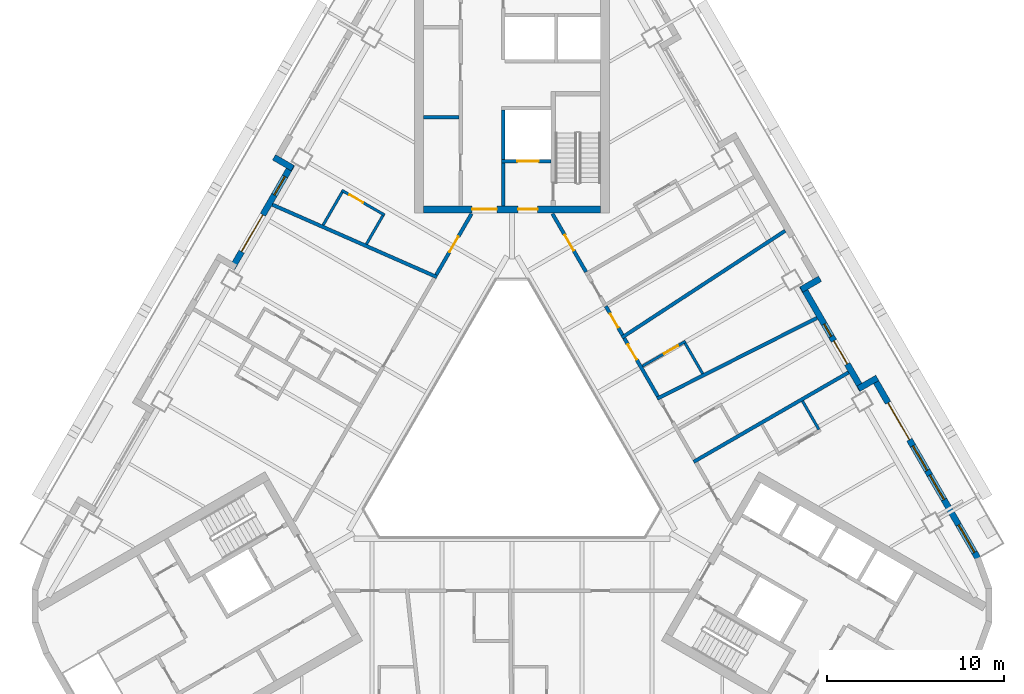
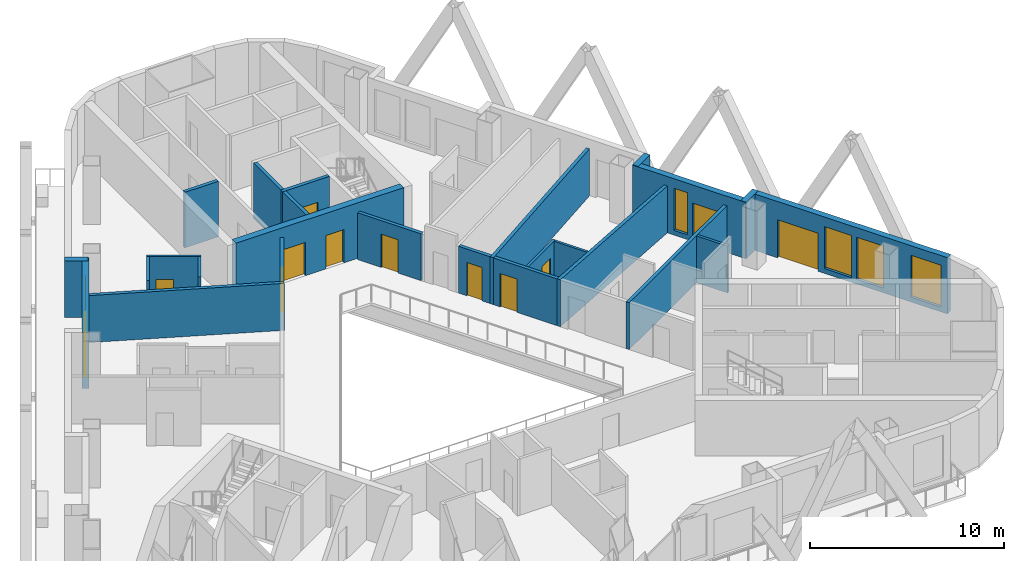
# One storey, part 6 of 14: 25 walls, 12 doors, 5 windows, 17 openings.
"""IFC4 building model written with IfcOpenShell, lengths in metres."""

from ifc_helpers import new_model, si_unit, direction, frame, frame_2d, origin, place, context, subcontext, project, spatial, rectangle, extrude, material, layer, layer_set, type_object, element, fill, save


model = new_model("IFC4")

# Units and contexts
model_context = context("Model", 3, precision=1e-05, world=origin(), true_north=direction((0.0, 1.0)))
body_context = subcontext(model_context, "Body", "Model", "MODEL_VIEW")
ifc_project = project(units=[si_unit("LENGTHUNIT", "METRE"), si_unit("AREAUNIT", "SQUARE_METRE"), si_unit("VOLUMEUNIT", "CUBIC_METRE"), si_unit("PLANEANGLEUNIT", "RADIAN"), si_unit("MASSUNIT", "GRAM", prefix="KILO")], contexts=[model_context])

# Site, building, storey
site_placement = place(None, origin())
site = spatial("IfcSite", under=ifc_project, at=site_placement, CompositionType="ELEMENT")
building_placement = place(site_placement, origin())
building = spatial("IfcBuilding", under=site, at=building_placement, Name="Apuvela Tower Hotel", CompositionType="ELEMENT")
storey_placement = place(building_placement, frame((0.0, 0.0, 120.5)))
storey = spatial("IfcBuildingStorey", under=building, at=storey_placement, Name="L28", CompositionType="ELEMENT", Elevation=120.5)

# Wall, openings, doors
ifc_material_1 = material(Name="Concrete C50/60", Category="concrete")
ifc_layer_1 = layer(ifc_material_1, 0.39990234375)
ifc_layer_set_1 = layer_set([ifc_layer_1], Name="COR-WALL-CORE-400")
wall_type_1 = type_object("IfcWallType", Name="COR-WALL-CORE-400", PredefinedType="SHEAR", material=ifc_layer_set_1)
wall_1_placement = place(storey_placement, frame((5.0, 13.10009765625, 0.0), z_axis=(0.0, 0.0, 1.0), x_axis=(-1.0, 0.0, 0.0)))
wall_1 = element("IfcWall", 1, at=wall_1_placement, inside=storey, type_object=wall_type_1, Name="Core wall N", PredefinedType="SHEAR", context=body_context, shape_type="SweptSolid", body=[
    extrude(rectangle(XDim=10.0, YDim=0.39990234375, at=frame_2d((5.0, 0.0))), origin(), (0.0, 0.0, 1.0), 3.5),
])
opening_1_placement = place(wall_1_placement, frame((3.550048828125, 0.0, 0.0)))
opening_1 = element("IfcOpeningElement", 2, at=opening_1_placement, cuts=wall_1, Name="Opening N-FD", PredefinedType="OPENING", context=body_context, shape_type="SweptSolid", body=[
    extrude(rectangle(XDim=1.10009765625, YDim=2.10009765625, at=frame_2d((0.550048828125, 1.050048828125))), frame((0.0, 0.2099609375, 0.0), z_axis=(0.0, -1.0, 0.0), x_axis=(1.0, 0.0, 0.0)), (0.0, 0.0, 1.0), 0.419921875),
])
opening_2_placement = place(wall_1_placement, frame((5.85009765625, 0.0, 0.0)))
opening_2 = element("IfcOpeningElement", 3, at=opening_2_placement, cuts=wall_1, Name="Opening N-GD", PredefinedType="OPENING", context=body_context, shape_type="SweptSolid", body=[
    extrude(rectangle(XDim=1.39990234375, YDim=2.10009765625, at=frame_2d((0.699951171875, 1.050048828125))), frame((0.0, 0.2099609375, 0.0), z_axis=(0.0, -1.0, 0.0), x_axis=(1.0, 0.0, 0.0)), (0.0, 0.0, 1.0), 0.419921875),
])
ifc_material_2 = material(Name="Steel fire door, powder coated", Category="steel")
door_type_1 = type_object("IfcDoorType", Name="COR-FD-1100", OperationType="NOTDEFINED", PredefinedType="DOOR", material=ifc_material_2)
door_1_placement = place(opening_1_placement, frame((1.10009765625, 0.0, 0.0), z_axis=(0.0, 0.0, 1.0), x_axis=(-1.0, 0.0, 0.0)))
door_1 = element("IfcDoor", 4, at=door_1_placement, inside=storey, type_object=door_type_1, Name="Firefighting lobby door N-FD", OperationType="SINGLE_SWING_LEFT", OverallHeight=2.10009765625, OverallWidth=1.10009765625, PredefinedType="DOOR", context=body_context, shape_type="SweptSolid", body=[
    extrude(rectangle(XDim=1.10009765625, YDim=2.10009765625, at=frame_2d((0.550048828125, 1.050048828125))), frame((0.0, 0.02490234375, 0.0), z_axis=(0.0, -1.0, 0.0), x_axis=(1.0, 0.0, 0.0)), (0.0, 0.0, 1.0), 0.050048828125),
])
fill(opening_1, door_1)
ifc_material_3 = material(Name="Glazed steel fire door", Category="steel")
door_type_2 = type_object("IfcDoorType", Name="COR-GD-1400", OperationType="DOUBLE_DOOR_SINGLE_SWING", PredefinedType="DOOR", material=ifc_material_3)
door_2_placement = place(opening_2_placement, frame((1.39990234375, 0.0, 0.0), z_axis=(0.0, 0.0, 1.0), x_axis=(-1.0, 0.0, 0.0)))
door_2 = element("IfcDoor", 5, at=door_2_placement, inside=storey, type_object=door_type_2, Name="Lift lobby door N-GD", OperationType="DOUBLE_DOOR_SINGLE_SWING", OverallHeight=2.10009765625, OverallWidth=1.39990234375, PredefinedType="DOOR", context=body_context, shape_type="SweptSolid", body=[
    extrude(rectangle(XDim=1.39990234375, YDim=2.10009765625, at=frame_2d((0.699951171875, 1.050048828125))), frame((0.0, 0.02490234375, 0.0), z_axis=(0.0, -1.0, 0.0), x_axis=(1.0, 0.0, 0.0)), (0.0, 0.0, 1.0), 0.050048828125),
])
fill(opening_2, door_2)

# Wall, opening, door
ifc_layer_2 = layer(ifc_material_1, 0.199951171875)
ifc_layer_set_2 = layer_set([ifc_layer_2], Name="COR-WALL-SHAFT-200")
wall_type_2 = type_object("IfcWallType", Name="COR-WALL-SHAFT-200", PredefinedType="SHEAR", material=ifc_layer_set_2)
wall_2_placement = place(storey_placement, frame((2.199951171875, 15.800048828125, 0.0), z_axis=(0.0, 0.0, 1.0), x_axis=(-1.0, 0.0, 0.0)))
wall_2 = element("IfcWall", 6, at=wall_2_placement, inside=storey, type_object=wall_type_2, Name="Shaft wall N", PredefinedType="SHEAR", context=body_context, shape_type="SweptSolid", body=[
    extrude(rectangle(XDim=2.800048828125, YDim=0.199951171875, at=frame_2d((1.39990234375, 0.0))), origin(), (0.0, 0.0, 1.0), 3.5),
])
opening_3_placement = place(wall_2_placement, frame((0.699951171875, 0.0, 0.0)))
opening_3 = element("IfcOpeningElement", 7, at=opening_3_placement, cuts=wall_2, Name="Opening N-LD-FS1", PredefinedType="OPENING", context=body_context, shape_type="SweptSolid", body=[
    extrude(rectangle(XDim=1.199951171875, YDim=2.10009765625, at=frame_2d((0.60009765625, 1.050048828125))), frame((0.0, 0.10986328125, 0.0), z_axis=(0.0, -1.0, 0.0), x_axis=(1.0, 0.0, 0.0)), (0.0, 0.0, 1.0), 0.219970703125),
])
ifc_material_4 = material(Name="Stainless steel lift landing door", Category="steel")
door_type_3 = type_object("IfcDoorType", Name="COR-LD-1200", OperationType="DOUBLE_DOOR_SLIDING", PredefinedType="DOOR", material=ifc_material_4)
door_3_placement = place(opening_3_placement, origin())
door_3 = element("IfcDoor", 8, at=door_3_placement, inside=storey, type_object=door_type_3, Name="Lift landing door N-LD-FS1", OperationType="DOUBLE_DOOR_SLIDING", OverallHeight=2.10009765625, OverallWidth=1.199951171875, PredefinedType="DOOR", context=body_context, shape_type="SweptSolid", body=[
    extrude(rectangle(XDim=1.199951171875, YDim=2.10009765625, at=frame_2d((0.60009765625, 1.050048828125))), frame((0.0, 0.02490234375, 0.0), z_axis=(0.0, -1.0, 0.0), x_axis=(1.0, 0.0, 0.0)), (0.0, 0.0, 1.0), 0.050048828125),
])
fill(opening_3, door_3)

# Walls
wall_3_placement = place(storey_placement, frame((-0.5, 15.89990234375, 0.0), z_axis=(0.0, 0.0, 1.0), x_axis=(0.0, 1.0, 0.0)))
element("IfcWall", 9, at=wall_3_placement, inside=storey, type_object=wall_type_2, Name="Shaft wall N", PredefinedType="SHEAR", context=body_context, shape_type="SweptSolid", body=[
    extrude(rectangle(XDim=2.800048828125, YDim=0.199951171875, at=frame_2d((1.39990234375, 0.0))), origin(), (0.0, 0.0, 1.0), 3.5),
])
wall_4_placement = place(storey_placement, frame((-0.5, 13.300048828125, 0.0), z_axis=(0.0, 0.0, 1.0), x_axis=(0.0, 1.0, 0.0)))
element("IfcWall", 10, at=wall_4_placement, inside=storey, type_object=wall_type_2, Name="Shaft wall N", PredefinedType="SHEAR", context=body_context, shape_type="SweptSolid", body=[
    extrude(rectangle(XDim=2.39990234375, YDim=0.199951171875, at=frame_2d((1.199951171875, 0.0))), origin(), (0.0, 0.0, 1.0), 3.5),
])
wall_5_placement = place(storey_placement, frame((-3.0, 18.280029296875, 0.0), z_axis=(0.0, 0.0, 1.0), x_axis=(-1.0, 0.0, 0.0)))
element("IfcWall", 11, at=wall_5_placement, inside=storey, type_object=wall_type_2, Name="Shaft wall N", PredefinedType="SHEAR", context=body_context, shape_type="SweptSolid", body=[
    extrude(rectangle(XDim=2.0, YDim=0.199951171875, at=frame_2d((1.0, 0.0))), origin(), (0.0, 0.0, 1.0), 3.5),
])
ifc_material_5 = material(Name="Concrete C40/50, dark pigmented precast panel", Category="concrete")
ifc_layer_3 = layer(ifc_material_5, 0.35009765625)
ifc_layer_set_3 = layer_set([ifc_layer_3], Name="ENV-WALL-350")
wall_type_3 = type_object("IfcWallType", Name="ENV-WALL-350", PredefinedType="SOLIDWALL", material=ifc_layer_set_3)
wall_6_placement = place(storey_placement, frame((-13.41259765625, 16.02880859375, 0.0), z_axis=(0.0, 0.0, 1.0), x_axis=(0.866005645448, -0.500034220881, 0.0)))
element("IfcWall", 12, at=wall_6_placement, inside=storey, type_object=wall_type_3, Name="External wall L28-02", PredefinedType="SOLIDWALL", context=body_context, shape_type="SweptSolid", body=[
    extrude(rectangle(XDim=1.22021484375, YDim=0.35009765625, at=frame_2d((0.610107421875, 0.0))), origin(), (0.0, 0.0, 1.0), 3.550048828125),
])

# Wall, openings, door, window
wall_7_placement = place(storey_placement, frame((-12.408935546875, 15.616943359375, 0.0), z_axis=(0.0, 0.0, 1.0), x_axis=(-0.500003597184, -0.866023326939, 0.0)))
wall_7 = element("IfcWall", 13, at=wall_7_placement, inside=storey, type_object=wall_type_3, Name="External wall L28-03", PredefinedType="SOLIDWALL", context=body_context, shape_type="SweptSolid", body=[
    extrude(rectangle(XDim=6.740234375, YDim=0.35009765625, at=frame_2d((3.3701171875, 0.0))), origin(), (0.0, 0.0, 1.0), 3.550048828125),
])
opening_4_placement = place(wall_7_placement, frame((0.77001953125, 0.0, 0.300048828125)))
opening_4 = element("IfcOpeningElement", 14, at=opening_4_placement, cuts=wall_7, Name="Opening WN12", PredefinedType="OPENING", context=body_context, shape_type="SweptSolid", body=[
    extrude(rectangle(XDim=1.199951171875, YDim=2.64990234375, at=frame_2d((0.60009765625, 1.324951171875))), frame((0.0, 0.18505859375, 0.0), z_axis=(0.0, -1.0, 0.0), x_axis=(1.0, 0.0, 0.0)), (0.0, 0.0, 1.0), 0.3701171875),
])
opening_5_placement = place(wall_7_placement, frame((3.260498046875, 0.0, 0.0)))
opening_5 = element("IfcOpeningElement", 15, at=opening_5_placement, cuts=wall_7, Name="Opening BD24", PredefinedType="OPENING", context=body_context, shape_type="SweptSolid", body=[
    extrude(rectangle(XDim=2.39990234375, YDim=2.39990234375, at=frame_2d((1.199951171875, 1.199951171875))), frame((0.0, 0.18505859375, 0.0), z_axis=(0.0, -1.0, 0.0), x_axis=(1.0, 0.0, 0.0)), (0.0, 0.0, 1.0), 0.3701171875),
])
ifc_material_6 = material(Name="Aluminium 6063-T6, dark bronze anodised frame with dark tinted laminated glass", Category="aluminium")
door_type_4 = type_object("IfcDoorType", Name="ENV-DOOR-BALCONY-2400x2400", OperationType="SLIDING_TO_LEFT", PredefinedType="DOOR", material=ifc_material_6)
door_4_placement = place(opening_5_placement, frame((2.39990234375, 0.0, 0.0), z_axis=(0.0, 0.0, 1.0), x_axis=(-1.0, 0.0, 0.0)))
door_4 = element("IfcDoor", 16, at=door_4_placement, inside=storey, type_object=door_type_4, Name="Balcony door BD24", OperationType="SLIDING_TO_LEFT", OverallHeight=2.39990234375, OverallWidth=2.39990234375, PredefinedType="DOOR", context=body_context, shape_type="SweptSolid", body=[
    extrude(rectangle(XDim=2.39990234375, YDim=2.39990234375, at=frame_2d((1.199951171875, 1.199951171875))), frame((0.0, 0.02490234375, 0.0), z_axis=(0.0, -1.0, 0.0), x_axis=(1.0, 0.0, 0.0)), (0.0, 0.0, 1.0), 0.050048828125),
])
fill(opening_5, door_4)
ifc_material_7 = material(Name="Glass, dark tinted laminated insulated glazing unit", Category="glass")
window_type_1 = type_object("IfcWindowType", Name="ENV-WIN-1200x2650", PartitioningType="SINGLE_PANEL", PredefinedType="WINDOW", material=ifc_material_7)
window_1_placement = place(opening_4_placement, origin())
window_1 = element("IfcWindow", 17, at=window_1_placement, inside=storey, type_object=window_type_1, Name="Window WN12", OverallHeight=2.64990234375, OverallWidth=1.199951171875, PartitioningType="SINGLE_PANEL", PredefinedType="WINDOW", context=body_context, shape_type="SweptSolid", body=[
    extrude(rectangle(XDim=1.199951171875, YDim=2.64990234375, at=frame_2d((0.60009765625, 1.324951171875))), frame((0.0, 0.030029296875, 0.0), z_axis=(0.0, -1.0, 0.0), x_axis=(1.0, 0.0, 0.0)), (0.0, 0.0, 1.0), 0.06005859375),
])
fill(opening_4, window_1)

# Wall, openings, door, windows
wall_8_placement = place(storey_placement, frame((26.256591796875, -6.5673828125, 0.0), z_axis=(0.0, 0.0, 1.0), x_axis=(-0.500023526245, 0.866011820475, 0.0)))
wall_8 = element("IfcWall", 18, at=wall_8_placement, inside=storey, type_object=wall_type_3, Name="External wall L28-33", PredefinedType="SOLIDWALL", context=body_context, shape_type="SweptSolid", body=[
    extrude(rectangle(XDim=11.81591796875, YDim=0.35009765625, at=frame_2d((5.907958984375, 0.0))), origin(), (0.0, 0.0, 1.0), 3.550048828125),
])
opening_6_placement = place(wall_8_placement, frame((0.380126953125, 0.0, 0.300048828125)))
opening_6 = element("IfcOpeningElement", 19, at=opening_6_placement, cuts=wall_8, Name="Opening WN18", PredefinedType="OPENING", context=body_context, shape_type="SweptSolid", body=[
    extrude(rectangle(XDim=1.800048828125, YDim=2.64990234375, at=frame_2d((0.89990234375, 1.324951171875))), frame((0.0, 0.18505859375, 0.0), z_axis=(0.0, -1.0, 0.0), x_axis=(1.0, 0.0, 0.0)), (0.0, 0.0, 1.0), 0.3701171875),
])
opening_7_placement = place(wall_8_placement, frame((7.71630859375, 0.0, 0.0)))
opening_7 = element("IfcOpeningElement", 20, at=opening_7_placement, cuts=wall_8, Name="Opening BD24", PredefinedType="OPENING", context=body_context, shape_type="SweptSolid", body=[
    extrude(rectangle(XDim=2.39990234375, YDim=2.39990234375, at=frame_2d((1.199951171875, 1.199951171875))), frame((0.0, 0.18505859375, 0.0), z_axis=(0.0, -1.0, 0.0), x_axis=(1.0, 0.0, 0.0)), (0.0, 0.0, 1.0), 0.3701171875),
])
opening_8_placement = place(wall_8_placement, frame((3.81591796875, 0.0, 0.300048828125)))
opening_8 = element("IfcOpeningElement", 21, at=opening_8_placement, cuts=wall_8, Name="Opening WN16", PredefinedType="OPENING", context=body_context, shape_type="SweptSolid", body=[
    extrude(rectangle(XDim=1.60009765625, YDim=2.64990234375, at=frame_2d((0.800048828125, 1.324951171875))), frame((0.0, 0.18505859375, 0.0), z_axis=(0.0, -1.0, 0.0), x_axis=(1.0, 0.0, 0.0)), (0.0, 0.0, 1.0), 0.3701171875),
])
opening_9_placement = place(wall_8_placement, frame((5.7158203125, 0.0, 0.300048828125)))
opening_9 = element("IfcOpeningElement", 22, at=opening_9_placement, cuts=wall_8, Name="Opening WN16", PredefinedType="OPENING", context=body_context, shape_type="SweptSolid", body=[
    extrude(rectangle(XDim=1.60009765625, YDim=2.64990234375, at=frame_2d((0.800048828125, 1.324951171875))), frame((0.0, 0.18505859375, 0.0), z_axis=(0.0, -1.0, 0.0), x_axis=(1.0, 0.0, 0.0)), (0.0, 0.0, 1.0), 0.3701171875),
])
door_5_placement = place(opening_7_placement, frame((2.39990234375, 0.0, 0.0), z_axis=(0.0, 0.0, 1.0), x_axis=(-1.0, 0.0, 0.0)))
door_5 = element("IfcDoor", 23, at=door_5_placement, inside=storey, type_object=door_type_4, Name="Balcony door BD24", OperationType="SLIDING_TO_LEFT", OverallHeight=2.39990234375, OverallWidth=2.39990234375, PredefinedType="DOOR", context=body_context, shape_type="SweptSolid", body=[
    extrude(rectangle(XDim=2.39990234375, YDim=2.39990234375, at=frame_2d((1.199951171875, 1.199951171875))), frame((0.0, 0.02490234375, 0.0), z_axis=(0.0, -1.0, 0.0), x_axis=(1.0, 0.0, 0.0)), (0.0, 0.0, 1.0), 0.050048828125),
])
fill(opening_7, door_5)
window_type_2 = type_object("IfcWindowType", Name="ENV-WIN-1600x2650", PartitioningType="SINGLE_PANEL", PredefinedType="WINDOW", material=ifc_material_7)
window_2_placement = place(opening_8_placement, origin())
window_2 = element("IfcWindow", 24, at=window_2_placement, inside=storey, type_object=window_type_2, Name="Window WN16", OverallHeight=2.64990234375, OverallWidth=1.60009765625, PartitioningType="SINGLE_PANEL", PredefinedType="WINDOW", context=body_context, shape_type="SweptSolid", body=[
    extrude(rectangle(XDim=1.60009765625, YDim=2.64990234375, at=frame_2d((0.800048828125, 1.324951171875))), frame((0.0, 0.030029296875, 0.0), z_axis=(0.0, -1.0, 0.0), x_axis=(1.0, 0.0, 0.0)), (0.0, 0.0, 1.0), 0.06005859375),
])
fill(opening_8, window_2)
window_3_placement = place(opening_9_placement, origin())
window_3 = element("IfcWindow", 25, at=window_3_placement, inside=storey, type_object=window_type_2, Name="Window WN16", OverallHeight=2.64990234375, OverallWidth=1.60009765625, PartitioningType="SINGLE_PANEL", PredefinedType="WINDOW", context=body_context, shape_type="SweptSolid", body=[
    extrude(rectangle(XDim=1.60009765625, YDim=2.64990234375, at=frame_2d((0.800048828125, 1.324951171875))), frame((0.0, 0.030029296875, 0.0), z_axis=(0.0, -1.0, 0.0), x_axis=(1.0, 0.0, 0.0)), (0.0, 0.0, 1.0), 0.06005859375),
])
fill(opening_9, window_3)
window_type_3 = type_object("IfcWindowType", Name="ENV-WIN-1800x2650", PartitioningType="SINGLE_PANEL", PredefinedType="WINDOW", material=ifc_material_7)
window_4_placement = place(opening_6_placement, origin())
window_4 = element("IfcWindow", 26, at=window_4_placement, inside=storey, type_object=window_type_3, Name="Window WN18", OverallHeight=2.64990234375, OverallWidth=1.800048828125, PartitioningType="SINGLE_PANEL", PredefinedType="WINDOW", context=body_context, shape_type="SweptSolid", body=[
    extrude(rectangle(XDim=1.800048828125, YDim=2.64990234375, at=frame_2d((0.89990234375, 1.324951171875))), frame((0.0, 0.030029296875, 0.0), z_axis=(0.0, -1.0, 0.0), x_axis=(1.0, 0.0, 0.0)), (0.0, 0.0, 1.0), 0.06005859375),
])
fill(opening_6, window_4)

# Wall
wall_9_placement = place(storey_placement, frame((20.587646484375, 3.601318359375, 0.0), z_axis=(0.0, 0.0, 1.0), x_axis=(-0.866005645448, -0.500034220881, 0.0)))
element("IfcWall", 27, at=wall_9_placement, inside=storey, type_object=wall_type_3, Name="External wall L28-34", PredefinedType="SOLIDWALL", context=body_context, shape_type="SweptSolid", body=[
    extrude(rectangle(XDim=1.22021484375, YDim=0.35009765625, at=frame_2d((0.610107421875, 0.0))), origin(), (0.0, 0.0, 1.0), 3.550048828125),
])

# Wall, openings, door, window
wall_10_placement = place(storey_placement, frame((19.72900390625, 2.93798828125, 0.0), z_axis=(0.0, 0.0, 1.0), x_axis=(-0.499976430342, 0.866039011305, 0.0)))
wall_10 = element("IfcWall", 28, at=wall_10_placement, inside=storey, type_object=wall_type_3, Name="External wall L28-35", PredefinedType="SOLIDWALL", context=body_context, shape_type="SweptSolid", body=[
    extrude(rectangle(XDim=6.739990234375, YDim=0.35009765625, at=frame_2d((3.3701171875, 0.0))), origin(), (0.0, 0.0, 1.0), 3.550048828125),
])
opening_10_placement = place(wall_10_placement, frame((1.670166015625, 0.0, 0.0)))
opening_10 = element("IfcOpeningElement", 29, at=opening_10_placement, cuts=wall_10, Name="Opening BD15", PredefinedType="OPENING", context=body_context, shape_type="SweptSolid", body=[
    extrude(rectangle(XDim=1.5, YDim=2.39990234375, at=frame_2d((0.75, 1.199951171875))), frame((0.0, 0.18505859375, 0.0), z_axis=(0.0, -1.0, 0.0), x_axis=(1.0, 0.0, 0.0)), (0.0, 0.0, 1.0), 0.3701171875),
])
opening_11_placement = place(wall_10_placement, frame((3.47021484375, 0.0, 0.300048828125)))
opening_11 = element("IfcOpeningElement", 30, at=opening_11_placement, cuts=wall_10, Name="Opening WN08", PredefinedType="OPENING", context=body_context, shape_type="SweptSolid", body=[
    extrude(rectangle(XDim=0.800048828125, YDim=2.64990234375, at=frame_2d((0.39990234375, 1.324951171875))), frame((0.0, 0.18505859375, 0.0), z_axis=(0.0, -1.0, 0.0), x_axis=(1.0, 0.0, 0.0)), (0.0, 0.0, 1.0), 0.3701171875),
])
door_type_5 = type_object("IfcDoorType", Name="ENV-DOOR-BALCONY-1500x2400", OperationType="SLIDING_TO_LEFT", PredefinedType="DOOR", material=ifc_material_6)
door_6_placement = place(opening_10_placement, frame((1.5, 0.0, 0.0), z_axis=(0.0, 0.0, 1.0), x_axis=(-1.0, 0.0, 0.0)))
door_6 = element("IfcDoor", 31, at=door_6_placement, inside=storey, type_object=door_type_5, Name="Balcony door BD15", OperationType="SLIDING_TO_LEFT", OverallHeight=2.39990234375, OverallWidth=1.5, PredefinedType="DOOR", context=body_context, shape_type="SweptSolid", body=[
    extrude(rectangle(XDim=1.5, YDim=2.39990234375, at=frame_2d((0.75, 1.199951171875))), frame((0.0, 0.02490234375, 0.0), z_axis=(0.0, -1.0, 0.0), x_axis=(1.0, 0.0, 0.0)), (0.0, 0.0, 1.0), 0.050048828125),
])
fill(opening_10, door_6)
window_type_4 = type_object("IfcWindowType", Name="ENV-WIN-800x2650", PartitioningType="SINGLE_PANEL", PredefinedType="WINDOW", material=ifc_material_7)
window_5_placement = place(opening_11_placement, origin())
window_5 = element("IfcWindow", 32, at=window_5_placement, inside=storey, type_object=window_type_4, Name="Window WN08", OverallHeight=2.64990234375, OverallWidth=0.800048828125, PartitioningType="SINGLE_PANEL", PredefinedType="WINDOW", context=body_context, shape_type="SweptSolid", body=[
    extrude(rectangle(XDim=0.800048828125, YDim=2.64990234375, at=frame_2d((0.39990234375, 1.324951171875))), frame((0.0, 0.030029296875, 0.0), z_axis=(0.0, -1.0, 0.0), x_axis=(1.0, 0.0, 0.0)), (0.0, 0.0, 1.0), 0.06005859375),
])
fill(opening_11, window_5)

# Walls
wall_11_placement = place(storey_placement, frame((16.305908203125, 8.5771484375, 0.0), z_axis=(0.0, 0.0, 1.0), x_axis=(0.866092288191, 0.499884134912, 0.0)))
element("IfcWall", 33, at=wall_11_placement, inside=storey, type_object=wall_type_3, Name="External wall L28-36", PredefinedType="SOLIDWALL", context=body_context, shape_type="SweptSolid", body=[
    extrude(rectangle(XDim=1.219970703125, YDim=0.35009765625, at=frame_2d((0.60986328125, 0.0))), origin(), (0.0, 0.0, 1.0), 3.550048828125),
])
ifc_material_8 = material(Name="Gypsum board partition on twin steel stud", Category="steel")
ifc_layer_4 = layer(ifc_material_8, 0.199951171875)
ifc_layer_set_4 = layer_set([ifc_layer_4], Name="GST-PW1")
wall_type_4 = type_object("IfcWallType", Name="GST-PW1", PredefinedType="PARTITIONING", material=ifc_layer_set_4)
wall_12_placement = place(storey_placement, frame((18.967529296875, 3.9072265625, 0.0), z_axis=(0.0, 0.0, 1.0), x_axis=(-0.866022637375, -0.500004791531, 0.0)))
element("IfcWall", 34, at=wall_12_placement, inside=storey, type_object=wall_type_4, Name="L28 partition 03", PredefinedType="PARTITIONING", context=body_context, shape_type="SweptSolid", body=[
    extrude(rectangle(XDim=10.080078125, YDim=0.199951171875, at=frame_2d((5.0400390625, 0.0))), origin(), (0.0, 0.0, 1.0), 2.9599609375),
])
wall_13_placement = place(storey_placement, frame((17.1923828125, 6.981689453125, 0.0), z_axis=(0.0, 0.0, 1.0), x_axis=(-0.892469554868, -0.451107629766, 0.0)))
element("IfcWall", 35, at=wall_13_placement, inside=storey, type_object=wall_type_4, Name="L28 partition 04", PredefinedType="PARTITIONING", context=body_context, shape_type="SweptSolid", body=[
    extrude(rectangle(XDim=10.095703125, YDim=0.199951171875, at=frame_2d((5.0478515625, 0.0))), origin(), (0.0, 0.0, 1.0), 2.9599609375),
])
wall_14_placement = place(storey_placement, frame((15.39697265625, 11.8916015625, 0.0), z_axis=(0.0, 0.0, 1.0), x_axis=(-0.836898817878, -0.547357624076, 0.0)))
element("IfcWall", 36, at=wall_14_placement, inside=storey, type_object=wall_type_4, Name="L28 partition 05", PredefinedType="PARTITIONING", context=body_context, shape_type="SweptSolid", body=[
    extrude(rectangle(XDim=10.9970703125, YDim=0.199951171875, at=frame_2d((5.49853515625, 0.0))), origin(), (0.0, 0.0, 1.0), 2.9599609375),
])
wall_15_placement = place(storey_placement, frame((-13.50830078125, 13.36279296875, 0.0), z_axis=(0.0, 0.0, 1.0), x_axis=(0.915297635711, -0.402778149932, 0.0)))
element("IfcWall", 37, at=wall_15_placement, inside=storey, type_object=wall_type_4, Name="L28 partition 07", PredefinedType="PARTITIONING", context=body_context, shape_type="SweptSolid", body=[
    extrude(rectangle(XDim=10.14013671875, YDim=0.199951171875, at=frame_2d((5.070068359375, 0.0))), origin(), (0.0, 0.0, 1.0), 2.9599609375),
])

# Wall, opening, door
ifc_material_9 = material(Name="Gypsum board corridor wall on twin steel stud, acoustic", Category="steel")
ifc_layer_5 = layer(ifc_material_9, 0.199951171875)
ifc_layer_set_5 = layer_set([ifc_layer_5], Name="GST-PW2")
wall_type_5 = type_object("IfcWallType", Name="GST-PW2", PredefinedType="PARTITIONING", material=ifc_layer_set_5)
wall_16_placement = place(storey_placement, frame((6.327392578125, 5.840576171875, 0.0), z_axis=(0.0, 0.0, 1.0), x_axis=(0.499999503755, -0.866025690291, 0.0)))
wall_16 = element("IfcWall", 38, at=wall_16_placement, inside=storey, type_object=wall_type_5, Name="L28 partition 27", PredefinedType="PARTITIONING", context=body_context, shape_type="SweptSolid", body=[
    extrude(rectangle(XDim=3.78857421875, YDim=0.199951171875, at=frame_2d((1.894287109375, 0.0))), origin(), (0.0, 0.0, 1.0), 2.949951171875),
])
opening_12_placement = place(wall_16_placement, frame((0.40283203125, 0.0, 0.0)))
opening_12 = element("IfcOpeningElement", 39, at=opening_12_placement, cuts=wall_16, Name="Opening GD10-12", PredefinedType="OPENING", context=body_context, shape_type="SweptSolid", body=[
    extrude(rectangle(XDim=1.0, YDim=2.10009765625, at=frame_2d((0.5, 1.050048828125))), frame((0.0, 0.10986328125, 0.0), z_axis=(0.0, -1.0, 0.0), x_axis=(1.0, 0.0, 0.0)), (0.0, 0.0, 1.0), 0.219970703125),
])
ifc_material_10 = material(Name="Timber door leaf in steel frame", Category="steel")
door_type_6 = type_object("IfcDoorType", Name="GST-D1", OperationType="NOTDEFINED", PredefinedType="DOOR", material=ifc_material_10)
door_7_placement = place(opening_12_placement, origin())
door_7 = element("IfcDoor", 40, at=door_7_placement, inside=storey, type_object=door_type_6, Name="Door L28-12", OperationType="SINGLE_SWING_LEFT", OverallHeight=2.10009765625, OverallWidth=1.0, PredefinedType="DOOR", context=body_context, shape_type="SweptSolid", body=[
    extrude(rectangle(XDim=1.0, YDim=2.10009765625, at=frame_2d((0.5, 1.050048828125))), frame((0.0, 0.02490234375, 0.0), z_axis=(0.0, -1.0, 0.0), x_axis=(1.0, 0.0, 0.0)), (0.0, 0.0, 1.0), 0.050048828125),
])
fill(opening_12, door_7)

wall_17_placement = place(storey_placement, frame((5.28857421875, 7.639892578125, 0.0), z_axis=(0.0, 0.0, 1.0), x_axis=(0.499985098601, -0.86603400694, 0.0)))
wall_17 = element("IfcWall", 41, at=wall_17_placement, inside=storey, type_object=wall_type_5, Name="L28 partition 31", PredefinedType="PARTITIONING", context=body_context, shape_type="SweptSolid", body=[
    extrude(rectangle(XDim=1.87744140625, YDim=0.199951171875, at=frame_2d((0.938720703125, 0.0))), origin(), (0.0, 0.0, 1.0), 2.949951171875),
])
opening_13_placement = place(wall_17_placement, frame((0.48876953125, 0.0, 0.0)))
opening_13 = element("IfcOpeningElement", 42, at=opening_13_placement, cuts=wall_17, Name="Opening GD10-13", PredefinedType="OPENING", context=body_context, shape_type="SweptSolid", body=[
    extrude(rectangle(XDim=0.89990234375, YDim=2.10009765625, at=frame_2d((0.449951171875, 1.050048828125))), frame((0.0, 0.10986328125, 0.0), z_axis=(0.0, -1.0, 0.0), x_axis=(1.0, 0.0, 0.0)), (0.0, 0.0, 1.0), 0.219970703125),
])
door_type_7 = type_object("IfcDoorType", Name="GST-D2", OperationType="NOTDEFINED", PredefinedType="DOOR", material=ifc_material_10)
door_8_placement = place(opening_13_placement, origin())
door_8 = element("IfcDoor", 43, at=door_8_placement, inside=storey, type_object=door_type_7, Name="Door L28-13", OperationType="SINGLE_SWING_LEFT", OverallHeight=2.10009765625, OverallWidth=0.89990234375, PredefinedType="DOOR", context=body_context, shape_type="SweptSolid", body=[
    extrude(rectangle(XDim=0.89990234375, YDim=2.10009765625, at=frame_2d((0.449951171875, 1.050048828125))), frame((0.0, 0.02490234375, 0.0), z_axis=(0.0, -1.0, 0.0), x_axis=(1.0, 0.0, 0.0)), (0.0, 0.0, 1.0), 0.050048828125),
])
fill(opening_13, door_8)

wall_18_placement = place(storey_placement, frame((2.280517578125, 12.85009765625, 0.0), z_axis=(0.0, 0.0, 1.0), x_axis=(0.499979074716, -0.866037484666, 0.0)))
wall_18 = element("IfcWall", 44, at=wall_18_placement, inside=storey, type_object=wall_type_5, Name="L28 partition 33", PredefinedType="PARTITIONING", context=body_context, shape_type="SweptSolid", body=[
    extrude(rectangle(XDim=3.788330078125, YDim=0.199951171875, at=frame_2d((1.89404296875, 0.0))), origin(), (0.0, 0.0, 1.0), 2.949951171875),
])
opening_14_placement = place(wall_18_placement, frame((1.39404296875, 0.0, 0.0)))
opening_14 = element("IfcOpeningElement", 45, at=opening_14_placement, cuts=wall_18, Name="Opening GD10-16", PredefinedType="OPENING", context=body_context, shape_type="SweptSolid", body=[
    extrude(rectangle(XDim=1.0, YDim=2.10009765625, at=frame_2d((0.5, 1.050048828125))), frame((0.0, 0.10986328125, 0.0), z_axis=(0.0, -1.0, 0.0), x_axis=(1.0, 0.0, 0.0)), (0.0, 0.0, 1.0), 0.219970703125),
])
door_9_placement = place(opening_14_placement, origin())
door_9 = element("IfcDoor", 46, at=door_9_placement, inside=storey, type_object=door_type_6, Name="Door L28-16", OperationType="SINGLE_SWING_RIGHT", OverallHeight=2.10009765625, OverallWidth=1.0, PredefinedType="DOOR", context=body_context, shape_type="SweptSolid", body=[
    extrude(rectangle(XDim=1.0, YDim=2.10009765625, at=frame_2d((0.5, 1.050048828125))), frame((0.0, 0.02490234375, 0.0), z_axis=(0.0, -1.0, 0.0), x_axis=(1.0, 0.0, 0.0)), (0.0, 0.0, 1.0), 0.050048828125),
])
fill(opening_14, door_9)

wall_19_placement = place(storey_placement, frame((-4.268798828125, 9.406005859375, 0.0), z_axis=(0.0, 0.0, 1.0), x_axis=(0.499968678846, 0.866043486306, 0.0)))
wall_19 = element("IfcWall", 47, at=wall_19_placement, inside=storey, type_object=wall_type_5, Name="L28 partition 37", PredefinedType="PARTITIONING", context=body_context, shape_type="SweptSolid", body=[
    extrude(rectangle(XDim=3.976806640625, YDim=0.199951171875, at=frame_2d((1.98828125, 0.0))), origin(), (0.0, 0.0, 1.0), 2.949951171875),
])
opening_15_placement = place(wall_19_placement, frame((1.48828125, 0.0, 0.0)))
opening_15 = element("IfcOpeningElement", 48, at=opening_15_placement, cuts=wall_19, Name="Opening GD10-18", PredefinedType="OPENING", context=body_context, shape_type="SweptSolid", body=[
    extrude(rectangle(XDim=1.0, YDim=2.10009765625, at=frame_2d((0.5, 1.050048828125))), frame((0.0, 0.10986328125, 0.0), z_axis=(0.0, -1.0, 0.0), x_axis=(1.0, 0.0, 0.0)), (0.0, 0.0, 1.0), 0.219970703125),
])
door_10_placement = place(opening_15_placement, origin())
door_10 = element("IfcDoor", 49, at=door_10_placement, inside=storey, type_object=door_type_6, Name="Door L28-18", OperationType="SINGLE_SWING_LEFT", OverallHeight=2.10009765625, OverallWidth=1.0, PredefinedType="DOOR", context=body_context, shape_type="SweptSolid", body=[
    extrude(rectangle(XDim=1.0, YDim=2.10009765625, at=frame_2d((0.5, 1.050048828125))), frame((0.0, 0.02490234375, 0.0), z_axis=(0.0, -1.0, 0.0), x_axis=(1.0, 0.0, 0.0)), (0.0, 0.0, 1.0), 0.050048828125),
])
fill(opening_15, door_10)

# Wall
ifc_material_11 = material(Name="Moisture-resistant gypsum board wet wall on steel stud", Category="steel")
ifc_layer_6 = layer(ifc_material_11, 0.14990234375)
ifc_layer_set_6 = layer_set([ifc_layer_6], Name="GST-PW3")
wall_type_6 = type_object("IfcWallType", Name="GST-PW3", PredefinedType="PARTITIONING", material=ifc_layer_set_6)
wall_20_placement = place(storey_placement, frame((17.296875, 0.69091796875, 0.0), z_axis=(0.0, 0.0, 1.0), x_axis=(-0.499985172903, 0.866033964044, 0.0)))
element("IfcWall", 50, at=wall_20_placement, inside=storey, type_object=wall_type_6, Name="L28 partition 22", PredefinedType="PARTITIONING", context=body_context, shape_type="SweptSolid", body=[
    extrude(rectangle(XDim=1.85009765625, YDim=0.14990234375, at=frame_2d((0.925048828125, 0.0))), origin(), (0.0, 0.0, 1.0), 2.949951171875),
])

# Wall, opening, door
wall_21_placement = place(storey_placement, frame((9.779296875, 5.661865234375, 0.0), z_axis=(0.0, 0.0, 1.0), x_axis=(-0.866034573852, -0.49998411664, 0.0)))
wall_21 = element("IfcWall", 51, at=wall_21_placement, inside=storey, type_object=wall_type_6, Name="L28 partition 28", PredefinedType="PARTITIONING", context=body_context, shape_type="SweptSolid", body=[
    extrude(rectangle(XDim=2.7998046875, YDim=0.14990234375, at=frame_2d((1.39990234375, 0.0))), origin(), (0.0, 0.0, 1.0), 2.949951171875),
])
opening_16_placement = place(wall_21_placement, frame((0.5, 0.0, 0.0)))
opening_16 = element("IfcOpeningElement", 52, at=opening_16_placement, cuts=wall_21, Name="Opening GD10-11", PredefinedType="OPENING", context=body_context, shape_type="SweptSolid", body=[
    extrude(rectangle(XDim=0.89990234375, YDim=2.10009765625, at=frame_2d((0.449951171875, 1.050048828125))), frame((0.0, 0.0849609375, 0.0), z_axis=(0.0, -1.0, 0.0), x_axis=(1.0, 0.0, 0.0)), (0.0, 0.0, 1.0), 0.169921875),
])
door_11_placement = place(opening_16_placement, origin())
door_11 = element("IfcDoor", 53, at=door_11_placement, inside=storey, type_object=door_type_7, Name="Door L28-11", OperationType="SINGLE_SWING_LEFT", OverallHeight=2.10009765625, OverallWidth=0.89990234375, PredefinedType="DOOR", context=body_context, shape_type="SweptSolid", body=[
    extrude(rectangle(XDim=0.89990234375, YDim=2.10009765625, at=frame_2d((0.449951171875, 1.050048828125))), frame((0.0, 0.02490234375, 0.0), z_axis=(0.0, -1.0, 0.0), x_axis=(1.0, 0.0, 0.0)), (0.0, 0.0, 1.0), 0.050048828125),
])
fill(opening_16, door_11)

# Wall
wall_22_placement = place(storey_placement, frame((10.746826171875, 3.835693359375, 0.0), z_axis=(0.0, 0.0, 1.0), x_axis=(-0.499991453095, 0.866030338286, 0.0)))
element("IfcWall", 54, at=wall_22_placement, inside=storey, type_object=wall_type_6, Name="L28 partition 29", PredefinedType="PARTITIONING", context=body_context, shape_type="SweptSolid", body=[
    extrude(rectangle(XDim=1.990234375, YDim=0.14990234375, at=frame_2d((0.9951171875, 0.0))), origin(), (0.0, 0.0, 1.0), 2.949951171875),
])

# Wall, opening, door
wall_23_placement = place(storey_placement, frame((-7.173583984375, 12.775146484375, 0.0), z_axis=(0.0, 0.0, 1.0), x_axis=(-0.866034573852, 0.49998411664, 0.0)))
wall_23 = element("IfcWall", 55, at=wall_23_placement, inside=storey, type_object=wall_type_6, Name="L28 partition 38", PredefinedType="PARTITIONING", context=body_context, shape_type="SweptSolid", body=[
    extrude(rectangle(XDim=2.7998046875, YDim=0.14990234375, at=frame_2d((1.39990234375, 0.0))), origin(), (0.0, 0.0, 1.0), 3.550048828125),
])
opening_17_placement = place(wall_23_placement, frame((1.39990234375, 0.0, 0.0)))
opening_17 = element("IfcOpeningElement", 56, at=opening_17_placement, cuts=wall_23, Name="Opening GD10-17", PredefinedType="OPENING", context=body_context, shape_type="SweptSolid", body=[
    extrude(rectangle(XDim=0.89990234375, YDim=2.10009765625, at=frame_2d((0.449951171875, 1.050048828125))), frame((0.0, 0.0849609375, 0.0), z_axis=(0.0, -1.0, 0.0), x_axis=(1.0, 0.0, 0.0)), (0.0, 0.0, 1.0), 0.169921875),
])
door_12_placement = place(opening_17_placement, origin())
door_12 = element("IfcDoor", 57, at=door_12_placement, inside=storey, type_object=door_type_7, Name="Door L28-17", OperationType="SINGLE_SWING_RIGHT", OverallHeight=2.10009765625, OverallWidth=0.89990234375, PredefinedType="DOOR", context=body_context, shape_type="SweptSolid", body=[
    extrude(rectangle(XDim=0.89990234375, YDim=2.10009765625, at=frame_2d((0.449951171875, 1.050048828125))), frame((0.0, 0.02490234375, 0.0), z_axis=(0.0, -1.0, 0.0), x_axis=(1.0, 0.0, 0.0)), (0.0, 0.0, 1.0), 0.050048828125),
])
fill(opening_17, door_12)

# Walls
wall_24_placement = place(storey_placement, frame((-9.57080078125, 14.072509765625, 0.0), z_axis=(0.0, 0.0, 1.0), x_axis=(-0.50005036918, -0.865996321171, 0.0)))
element("IfcWall", 58, at=wall_24_placement, inside=storey, type_object=wall_type_6, Name="L28 partition 39", PredefinedType="PARTITIONING", context=body_context, shape_type="SweptSolid", body=[
    extrude(rectangle(XDim=2.148193359375, YDim=0.14990234375, at=frame_2d((1.07421875, 0.0))), origin(), (0.0, 0.0, 1.0), 3.550048828125),
])
wall_25_placement = place(storey_placement, frame((-7.27587890625, 12.74755859375, 0.0), z_axis=(0.0, 0.0, 1.0), x_axis=(-0.500067438192, -0.865986464825, 0.0)))
element("IfcWall", 59, at=wall_25_placement, inside=storey, type_object=wall_type_6, Name="L28 partition 40", PredefinedType="PARTITIONING", context=body_context, shape_type="SweptSolid", body=[
    extrude(rectangle(XDim=1.858154296875, YDim=0.14990234375, at=frame_2d((0.92919921875, 0.0))), origin(), (0.0, 0.0, 1.0), 3.550048828125),
])

save(model, "model.ifc")
